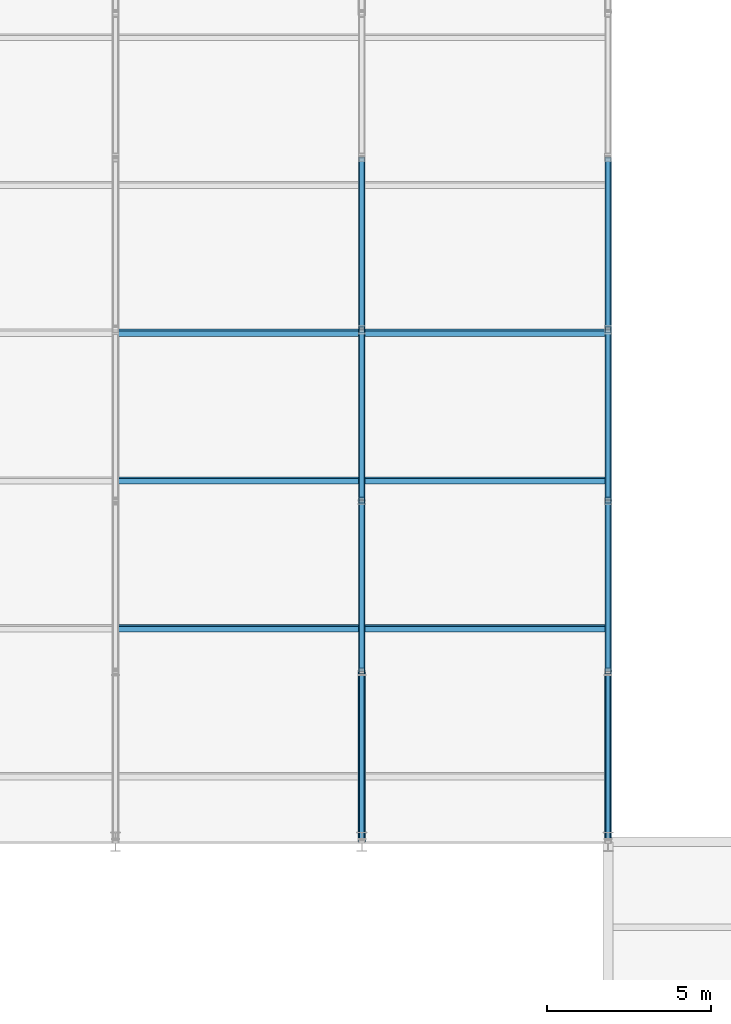
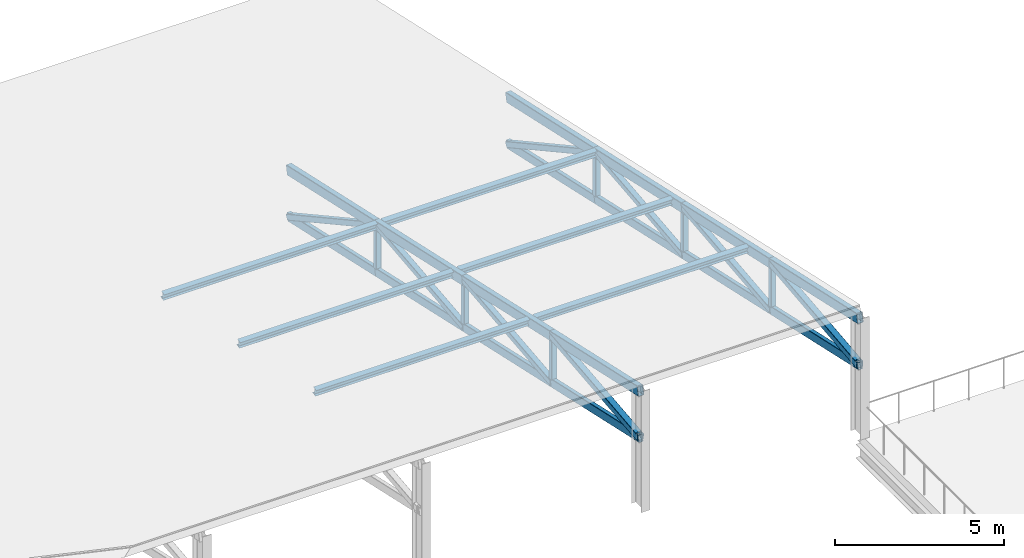
# One storey, part 33 of 77: 36 members.
"""IFC4 building model written with IfcOpenShell, lengths in metres."""

from ifc_helpers import new_model, si_unit, direction, frame, origin, origin_2d, place, context, subcontext, project, spatial, hollow_rectangle, i_section, extrude, material, material_profile, profile_set, type_object, element, save


model = new_model("IFC4")

# Units and contexts
model_context = context("Model", 3, precision=1e-05, world=origin(), true_north=direction((0.0, 1.0)))
body_context = subcontext(model_context, "Body", "Model", "MODEL_VIEW")
ifc_project = project(units=[si_unit("LENGTHUNIT", "METRE"), si_unit("AREAUNIT", "SQUARE_METRE"), si_unit("VOLUMEUNIT", "CUBIC_METRE"), si_unit("PLANEANGLEUNIT", "RADIAN"), si_unit("MASSUNIT", "GRAM", prefix="KILO")], contexts=[model_context])

# Site, building, storey
site_placement = place(None, origin())
site = spatial("IfcSite", under=ifc_project, at=site_placement, CompositionType="ELEMENT")
building_placement = place(site_placement, origin())
building = spatial("IfcBuilding", under=site, at=building_placement, Name="Yukiwa Park Conservatory and Herbarium", CompositionType="ELEMENT")
storey_placement = place(building_placement, frame((0.0, 0.0, 13.199951171875)))
storey = spatial("IfcBuildingStorey", under=building, at=storey_placement, Name="L03", CompositionType="ELEMENT", Elevation=13.199951171875)

# Members
ifc_material_1 = material(Name="Steel Q355D", Category="steel")
ifc_material_profile_1 = material_profile(ifc_material_1, hollow_rectangle(XDim=0.14990234375, YDim=0.300048828125, WallThickness=0.010009765625, InnerFilletRadius=0.010009765625, OuterFilletRadius=0.02001953125, at=origin_2d()), Name="RHS 300x150x10")
ifc_profile_set_1 = profile_set([ifc_material_profile_1], Name="Steel Q355D")
member_type_1 = type_object("IfcMemberType", Name="MB-AU-CHORD300", PredefinedType="CHORD", material=ifc_profile_set_1)
member_1_placement = place(storey_placement, frame((52.5, 78.006103515625, 2.491943359375), z_axis=(0.0, 0.976241016926, -0.216687509727), x_axis=(-1.0, 0.0, 0.0)))
element("IfcMember", 1, at=member_1_placement, inside=storey, type_object=member_type_1, Name="Auditorium roof truss 6 bottom chord 1", PredefinedType="CHORD", context=body_context, shape_type="SweptSolid", body=[
    extrude(hollow_rectangle(XDim=0.14990234375, YDim=0.300048828125, WallThickness=0.010009765625, InnerFilletRadius=0.010009765625, OuterFilletRadius=0.02001953125, at=origin_2d()), origin(), (0.0, 0.0, 1.0), 5.3203125),
])
member_2_placement = place(storey_placement, frame((52.5, 83.199951171875, 1.339111328125), z_axis=(0.0, 0.976294792683, -0.216445091838), x_axis=(-1.0, 0.0, 0.0)))
element("IfcMember", 2, at=member_2_placement, inside=storey, type_object=member_type_1, Name="Auditorium roof truss 6 bottom chord 2", PredefinedType="CHORD", context=body_context, shape_type="SweptSolid", body=[
    extrude(hollow_rectangle(XDim=0.14990234375, YDim=0.300048828125, WallThickness=0.010009765625, InnerFilletRadius=0.010009765625, OuterFilletRadius=0.02001953125, at=origin_2d()), origin(), (0.0, 0.0, 1.0), 5.326171875),
])
member_3_placement = place(storey_placement, frame((52.5, 88.39990234375, 0.186279296875), z_axis=(0.0, 0.97629693996, -0.216435406126), x_axis=(-1.0, 0.0, 0.0)))
element("IfcMember", 3, at=member_3_placement, inside=storey, type_object=member_type_1, Name="Auditorium roof truss 6 bottom chord 3", PredefinedType="CHORD", context=body_context, shape_type="SweptSolid", body=[
    extrude(hollow_rectangle(XDim=0.14990234375, YDim=0.300048828125, WallThickness=0.010009765625, InnerFilletRadius=0.010009765625, OuterFilletRadius=0.02001953125, at=origin_2d()), origin(), (0.0, 0.0, 1.0), 5.326416015625),
])
member_4_placement = place(storey_placement, frame((52.5, 93.60009765625, -0.966552734375), z_axis=(0.0, 0.976294792683, -0.216445091838), x_axis=(-1.0, 0.0, 0.0)))
element("IfcMember", 4, at=member_4_placement, inside=storey, type_object=member_type_1, Name="Auditorium roof truss 6 bottom chord 4", PredefinedType="CHORD", context=body_context, shape_type="SweptSolid", body=[
    extrude(hollow_rectangle(XDim=0.14990234375, YDim=0.300048828125, WallThickness=0.010009765625, InnerFilletRadius=0.010009765625, OuterFilletRadius=0.02001953125, at=origin_2d()), origin(), (0.0, 0.0, 1.0), 5.326171875),
])
ifc_material_2 = material(Name="Steel Q355D", Category="steel")
ifc_material_profile_2 = material_profile(ifc_material_2, hollow_rectangle(XDim=0.14990234375, YDim=0.300048828125, WallThickness=0.010009765625, InnerFilletRadius=0.010009765625, OuterFilletRadius=0.02001953125, at=origin_2d()), Name="RHS 300x150x10")
ifc_profile_set_2 = profile_set([ifc_material_profile_2], Name="Steel Q355D")
member_type_2 = type_object("IfcMemberType", Name="MB-AU-CHORD300-EXT", PredefinedType="CHORD", material=ifc_profile_set_2)
member_5_placement = place(storey_placement, frame((60.0, 78.006103515625, 2.491943359375), z_axis=(0.0, 0.976241016926, -0.216687509727), x_axis=(-1.0, 0.0, 0.0)))
element("IfcMember", 5, at=member_5_placement, inside=storey, type_object=member_type_2, Name="Auditorium roof truss 7 bottom chord 1", PredefinedType="CHORD", context=body_context, shape_type="SweptSolid", body=[
    extrude(hollow_rectangle(XDim=0.14990234375, YDim=0.300048828125, WallThickness=0.010009765625, InnerFilletRadius=0.010009765625, OuterFilletRadius=0.02001953125, at=origin_2d()), origin(), (0.0, 0.0, 1.0), 5.3203125),
])
member_6_placement = place(storey_placement, frame((60.0, 83.199951171875, 1.339111328125), z_axis=(0.0, 0.976294792683, -0.216445091838), x_axis=(-1.0, 0.0, 0.0)))
element("IfcMember", 6, at=member_6_placement, inside=storey, type_object=member_type_2, Name="Auditorium roof truss 7 bottom chord 2", PredefinedType="CHORD", context=body_context, shape_type="SweptSolid", body=[
    extrude(hollow_rectangle(XDim=0.14990234375, YDim=0.300048828125, WallThickness=0.010009765625, InnerFilletRadius=0.010009765625, OuterFilletRadius=0.02001953125, at=origin_2d()), origin(), (0.0, 0.0, 1.0), 5.326171875),
])
member_7_placement = place(storey_placement, frame((60.0, 88.39990234375, 0.186279296875), z_axis=(0.0, 0.97629693996, -0.216435406126), x_axis=(-1.0, 0.0, 0.0)))
element("IfcMember", 7, at=member_7_placement, inside=storey, type_object=member_type_2, Name="Auditorium roof truss 7 bottom chord 3", PredefinedType="CHORD", context=body_context, shape_type="SweptSolid", body=[
    extrude(hollow_rectangle(XDim=0.14990234375, YDim=0.300048828125, WallThickness=0.010009765625, InnerFilletRadius=0.010009765625, OuterFilletRadius=0.02001953125, at=origin_2d()), origin(), (0.0, 0.0, 1.0), 5.326416015625),
])
member_8_placement = place(storey_placement, frame((60.0, 93.60009765625, -0.966552734375), z_axis=(0.0, 0.976294792683, -0.216445091838), x_axis=(-1.0, 0.0, 0.0)))
element("IfcMember", 8, at=member_8_placement, inside=storey, type_object=member_type_2, Name="Auditorium roof truss 7 bottom chord 4", PredefinedType="CHORD", context=body_context, shape_type="SweptSolid", body=[
    extrude(hollow_rectangle(XDim=0.14990234375, YDim=0.300048828125, WallThickness=0.010009765625, InnerFilletRadius=0.010009765625, OuterFilletRadius=0.02001953125, at=origin_2d()), origin(), (0.0, 0.0, 1.0), 5.326171875),
])
ifc_material_3 = material(Name="Steel Q355D", Category="steel")
ifc_material_profile_3 = material_profile(ifc_material_3, hollow_rectangle(XDim=0.199951171875, YDim=0.35009765625, WallThickness=0.011962890625, InnerFilletRadius=0.011962890625, OuterFilletRadius=0.02392578125, at=origin_2d()), Name="RHS 350x200x12")
ifc_profile_set_3 = profile_set([ifc_material_profile_3], Name="Steel Q355D")
member_type_3 = type_object("IfcMemberType", Name="MB-AU-CHORD350", PredefinedType="CHORD", material=ifc_profile_set_3)
member_9_placement = place(storey_placement, frame((52.5, 78.006103515625, 4.19189453125), z_axis=(0.0, 0.976241016926, -0.216687509727), x_axis=(-1.0, 0.0, 0.0)))
element("IfcMember", 9, at=member_9_placement, inside=storey, type_object=member_type_3, Name="Auditorium roof truss 6 top chord 1", PredefinedType="CHORD", context=body_context, shape_type="SweptSolid", body=[
    extrude(hollow_rectangle(XDim=0.199951171875, YDim=0.35009765625, WallThickness=0.011962890625, InnerFilletRadius=0.011962890625, OuterFilletRadius=0.02392578125, at=origin_2d()), origin(), (0.0, 0.0, 1.0), 5.3203125),
])
member_10_placement = place(storey_placement, frame((52.5, 83.199951171875, 3.0390625), z_axis=(0.0, 0.976294792683, -0.216445091838), x_axis=(-1.0, 0.0, 0.0)))
element("IfcMember", 10, at=member_10_placement, inside=storey, type_object=member_type_3, Name="Auditorium roof truss 6 top chord 2", PredefinedType="CHORD", context=body_context, shape_type="SweptSolid", body=[
    extrude(hollow_rectangle(XDim=0.199951171875, YDim=0.35009765625, WallThickness=0.011962890625, InnerFilletRadius=0.011962890625, OuterFilletRadius=0.02392578125, at=origin_2d()), origin(), (0.0, 0.0, 1.0), 5.326171875),
])
member_11_placement = place(storey_placement, frame((52.5, 88.39990234375, 1.88623046875), z_axis=(0.0, 0.97629693996, -0.216435406126), x_axis=(-1.0, 0.0, 0.0)))
element("IfcMember", 11, at=member_11_placement, inside=storey, type_object=member_type_3, Name="Auditorium roof truss 6 top chord 3", PredefinedType="CHORD", context=body_context, shape_type="SweptSolid", body=[
    extrude(hollow_rectangle(XDim=0.199951171875, YDim=0.35009765625, WallThickness=0.011962890625, InnerFilletRadius=0.011962890625, OuterFilletRadius=0.02392578125, at=origin_2d()), origin(), (0.0, 0.0, 1.0), 5.326416015625),
])
member_12_placement = place(storey_placement, frame((52.5, 93.60009765625, 0.7333984375), z_axis=(0.0, 0.976294792683, -0.216445091838), x_axis=(-1.0, 0.0, 0.0)))
element("IfcMember", 12, at=member_12_placement, inside=storey, type_object=member_type_3, Name="Auditorium roof truss 6 top chord 4", PredefinedType="CHORD", context=body_context, shape_type="SweptSolid", body=[
    extrude(hollow_rectangle(XDim=0.199951171875, YDim=0.35009765625, WallThickness=0.011962890625, InnerFilletRadius=0.011962890625, OuterFilletRadius=0.02392578125, at=origin_2d()), origin(), (0.0, 0.0, 1.0), 5.326171875),
])
ifc_material_4 = material(Name="Steel Q355D", Category="steel")
ifc_material_profile_4 = material_profile(ifc_material_4, hollow_rectangle(XDim=0.199951171875, YDim=0.35009765625, WallThickness=0.011962890625, InnerFilletRadius=0.011962890625, OuterFilletRadius=0.02392578125, at=origin_2d()), Name="RHS 350x200x12")
ifc_profile_set_4 = profile_set([ifc_material_profile_4], Name="Steel Q355D")
member_type_4 = type_object("IfcMemberType", Name="MB-AU-CHORD350-EXT", PredefinedType="CHORD", material=ifc_profile_set_4)
member_13_placement = place(storey_placement, frame((60.0, 78.006103515625, 4.19189453125), z_axis=(0.0, 0.976241016926, -0.216687509727), x_axis=(-1.0, 0.0, 0.0)))
element("IfcMember", 13, at=member_13_placement, inside=storey, type_object=member_type_4, Name="Auditorium roof truss 7 top chord 1", PredefinedType="CHORD", context=body_context, shape_type="SweptSolid", body=[
    extrude(hollow_rectangle(XDim=0.199951171875, YDim=0.35009765625, WallThickness=0.011962890625, InnerFilletRadius=0.011962890625, OuterFilletRadius=0.02392578125, at=origin_2d()), origin(), (0.0, 0.0, 1.0), 5.3203125),
])
member_14_placement = place(storey_placement, frame((60.0, 83.199951171875, 3.0390625), z_axis=(0.0, 0.976294792683, -0.216445091838), x_axis=(-1.0, 0.0, 0.0)))
element("IfcMember", 14, at=member_14_placement, inside=storey, type_object=member_type_4, Name="Auditorium roof truss 7 top chord 2", PredefinedType="CHORD", context=body_context, shape_type="SweptSolid", body=[
    extrude(hollow_rectangle(XDim=0.199951171875, YDim=0.35009765625, WallThickness=0.011962890625, InnerFilletRadius=0.011962890625, OuterFilletRadius=0.02392578125, at=origin_2d()), origin(), (0.0, 0.0, 1.0), 5.326171875),
])
member_15_placement = place(storey_placement, frame((60.0, 88.39990234375, 1.88623046875), z_axis=(0.0, 0.97629693996, -0.216435406126), x_axis=(-1.0, 0.0, 0.0)))
element("IfcMember", 15, at=member_15_placement, inside=storey, type_object=member_type_4, Name="Auditorium roof truss 7 top chord 3", PredefinedType="CHORD", context=body_context, shape_type="SweptSolid", body=[
    extrude(hollow_rectangle(XDim=0.199951171875, YDim=0.35009765625, WallThickness=0.011962890625, InnerFilletRadius=0.011962890625, OuterFilletRadius=0.02392578125, at=origin_2d()), origin(), (0.0, 0.0, 1.0), 5.326416015625),
])
member_16_placement = place(storey_placement, frame((60.0, 93.60009765625, 0.7333984375), z_axis=(0.0, 0.976294792683, -0.216445091838), x_axis=(-1.0, 0.0, 0.0)))
element("IfcMember", 16, at=member_16_placement, inside=storey, type_object=member_type_4, Name="Auditorium roof truss 7 top chord 4", PredefinedType="CHORD", context=body_context, shape_type="SweptSolid", body=[
    extrude(hollow_rectangle(XDim=0.199951171875, YDim=0.35009765625, WallThickness=0.011962890625, InnerFilletRadius=0.011962890625, OuterFilletRadius=0.02392578125, at=origin_2d()), origin(), (0.0, 0.0, 1.0), 5.326171875),
])
ifc_material_5 = material(Name="Steel Q355D", Category="steel")
ifc_material_profile_5 = material_profile(ifc_material_5, hollow_rectangle(XDim=0.199951171875, YDim=0.199951171875, WallThickness=0.010009765625, InnerFilletRadius=0.010009765625, OuterFilletRadius=0.02001953125, at=origin_2d()), Name="SHS 200x200x10")
ifc_profile_set_5 = profile_set([ifc_material_profile_5], Name="Steel Q355D")
member_type_5 = type_object("IfcMemberType", Name="MB-AU-DIAG200", PredefinedType="BRACE", material=ifc_profile_set_5)
member_17_placement = place(storey_placement, frame((52.5, 83.199951171875, 1.339111328125), z_axis=(0.0, 0.994510313019, 0.10463860329), x_axis=(-1.0, 0.0, 0.0)))
element("IfcMember", 17, at=member_17_placement, inside=storey, type_object=member_type_5, Name="Auditorium roof truss 6 web diagonal 2", PredefinedType="BRACE", context=body_context, shape_type="SweptSolid", body=[
    extrude(hollow_rectangle(XDim=0.199951171875, YDim=0.199951171875, WallThickness=0.010009765625, InnerFilletRadius=0.010009765625, OuterFilletRadius=0.02001953125, at=origin_2d()), origin(), (0.0, 0.0, 1.0), 5.228759765625),
])
member_18_placement = place(storey_placement, frame((52.5, 88.39990234375, 0.186279296875), z_axis=(0.0, 0.994510824234, 0.104633744465), x_axis=(-1.0, 0.0, 0.0)))
element("IfcMember", 18, at=member_18_placement, inside=storey, type_object=member_type_5, Name="Auditorium roof truss 6 web diagonal 3", PredefinedType="BRACE", context=body_context, shape_type="SweptSolid", body=[
    extrude(hollow_rectangle(XDim=0.199951171875, YDim=0.199951171875, WallThickness=0.010009765625, InnerFilletRadius=0.010009765625, OuterFilletRadius=0.02001953125, at=origin_2d()), origin(), (0.0, 0.0, 1.0), 5.22900390625),
])
member_19_placement = place(storey_placement, frame((52.5, 93.60009765625, 0.7333984375), z_axis=(0.0, 0.876727303121, -0.480987771115), x_axis=(-1.0, 0.0, 0.0)))
element("IfcMember", 19, at=member_19_placement, inside=storey, type_object=member_type_5, Name="Auditorium roof truss 6 web diagonal 4", PredefinedType="BRACE", context=body_context, shape_type="SweptSolid", body=[
    extrude(hollow_rectangle(XDim=0.199951171875, YDim=0.199951171875, WallThickness=0.010009765625, InnerFilletRadius=0.010009765625, OuterFilletRadius=0.02001953125, at=origin_2d()), origin(), (0.0, 0.0, 1.0), 5.93115234375),
])
ifc_material_6 = material(Name="Steel Q355D", Category="steel")
ifc_material_profile_6 = material_profile(ifc_material_6, hollow_rectangle(XDim=0.199951171875, YDim=0.199951171875, WallThickness=0.010009765625, InnerFilletRadius=0.010009765625, OuterFilletRadius=0.02001953125, at=origin_2d()), Name="SHS 200x200x10")
ifc_profile_set_6 = profile_set([ifc_material_profile_6], Name="Steel Q355D")
member_type_6 = type_object("IfcMemberType", Name="MB-AU-DIAG200-EXT", PredefinedType="BRACE", material=ifc_profile_set_6)
member_20_placement = place(storey_placement, frame((60.0, 83.199951171875, 1.339111328125), z_axis=(0.0, 0.994510313019, 0.10463860329), x_axis=(-1.0, 0.0, 0.0)))
element("IfcMember", 20, at=member_20_placement, inside=storey, type_object=member_type_6, Name="Auditorium roof truss 7 web diagonal 2", PredefinedType="BRACE", context=body_context, shape_type="SweptSolid", body=[
    extrude(hollow_rectangle(XDim=0.199951171875, YDim=0.199951171875, WallThickness=0.010009765625, InnerFilletRadius=0.010009765625, OuterFilletRadius=0.02001953125, at=origin_2d()), origin(), (0.0, 0.0, 1.0), 5.228759765625),
])
member_21_placement = place(storey_placement, frame((60.0, 88.39990234375, 0.186279296875), z_axis=(0.0, 0.994510824234, 0.104633744465), x_axis=(-1.0, 0.0, 0.0)))
element("IfcMember", 21, at=member_21_placement, inside=storey, type_object=member_type_6, Name="Auditorium roof truss 7 web diagonal 3", PredefinedType="BRACE", context=body_context, shape_type="SweptSolid", body=[
    extrude(hollow_rectangle(XDim=0.199951171875, YDim=0.199951171875, WallThickness=0.010009765625, InnerFilletRadius=0.010009765625, OuterFilletRadius=0.02001953125, at=origin_2d()), origin(), (0.0, 0.0, 1.0), 5.22900390625),
])
member_22_placement = place(storey_placement, frame((60.0, 93.60009765625, 0.7333984375), z_axis=(0.0, 0.876727303121, -0.480987771115), x_axis=(-1.0, 0.0, 0.0)))
element("IfcMember", 22, at=member_22_placement, inside=storey, type_object=member_type_6, Name="Auditorium roof truss 7 web diagonal 4", PredefinedType="BRACE", context=body_context, shape_type="SweptSolid", body=[
    extrude(hollow_rectangle(XDim=0.199951171875, YDim=0.199951171875, WallThickness=0.010009765625, InnerFilletRadius=0.010009765625, OuterFilletRadius=0.02001953125, at=origin_2d()), origin(), (0.0, 0.0, 1.0), 5.93115234375),
])
ifc_material_7 = material(Name="Steel Q355D", Category="steel")
ifc_material_profile_7 = material_profile(ifc_material_7, hollow_rectangle(XDim=0.219970703125, YDim=0.219970703125, WallThickness=0.010009765625, InnerFilletRadius=0.010009765625, OuterFilletRadius=0.02001953125, at=origin_2d()), Name="SHS 220x220x10")
ifc_profile_set_7 = profile_set([ifc_material_profile_7], Name="Steel Q355D")
member_type_7 = type_object("IfcMemberType", Name="MB-AU-DIAG220", PredefinedType="BRACE", material=ifc_profile_set_7)
member_23_placement = place(storey_placement, frame((52.5, 78.011962890625, 2.491943359375), z_axis=(0.0, 0.994485175972, 0.104877236675), x_axis=(-1.0, 0.0, 0.0)))
element("IfcMember", 23, at=member_23_placement, inside=storey, type_object=member_type_7, Name="Auditorium roof truss 6 web diagonal 1", PredefinedType="BRACE", context=body_context, shape_type="SweptSolid", body=[
    extrude(hollow_rectangle(XDim=0.219970703125, YDim=0.219970703125, WallThickness=0.010009765625, InnerFilletRadius=0.010009765625, OuterFilletRadius=0.02001953125, at=origin_2d()), origin(), (0.0, 0.0, 1.0), 5.216796875),
])
ifc_material_8 = material(Name="Steel Q355D", Category="steel")
ifc_material_profile_8 = material_profile(ifc_material_8, hollow_rectangle(XDim=0.219970703125, YDim=0.219970703125, WallThickness=0.010009765625, InnerFilletRadius=0.010009765625, OuterFilletRadius=0.02001953125, at=origin_2d()), Name="SHS 220x220x10")
ifc_profile_set_8 = profile_set([ifc_material_profile_8], Name="Steel Q355D")
member_type_8 = type_object("IfcMemberType", Name="MB-AU-DIAG220-EXT", PredefinedType="BRACE", material=ifc_profile_set_8)
member_24_placement = place(storey_placement, frame((60.0, 78.011962890625, 2.491943359375), z_axis=(0.0, 0.994485175972, 0.104877236675), x_axis=(-1.0, 0.0, 0.0)))
element("IfcMember", 24, at=member_24_placement, inside=storey, type_object=member_type_8, Name="Auditorium roof truss 7 web diagonal 1", PredefinedType="BRACE", context=body_context, shape_type="SweptSolid", body=[
    extrude(hollow_rectangle(XDim=0.219970703125, YDim=0.219970703125, WallThickness=0.010009765625, InnerFilletRadius=0.010009765625, OuterFilletRadius=0.02001953125, at=origin_2d()), origin(), (0.0, 0.0, 1.0), 5.216796875),
])
ifc_material_9 = material(Name="Steel Q355D", Category="steel")
ifc_material_profile_9 = material_profile(ifc_material_9, hollow_rectangle(XDim=0.179931640625, YDim=0.179931640625, WallThickness=0.008056640625, InnerFilletRadius=0.008056640625, OuterFilletRadius=0.01611328125, at=origin_2d()), Name="SHS 180x180x8")
ifc_profile_set_9 = profile_set([ifc_material_profile_9], Name="Steel Q355D")
member_type_9 = type_object("IfcMemberType", Name="MB-AU-WEB180", PredefinedType="MEMBER", material=ifc_profile_set_9)
for number, where, z_axis, x_axis, name in (
    (25, (52.5, 83.199951171875, 1.484130859375), (0.0, 0.0, 1.0), (1.0, 0.0, 0.0), "Auditorium roof truss 6 vertical web 1"),
    (26, (52.5, 88.39990234375, 0.331298828125), (0.0, 0.0, 1.0), (1.0, 0.0, 0.0), "Auditorium roof truss 6 vertical web 2"),
    (27, (52.5, 93.60009765625, -0.821533203125), (0.0, 0.0, 1.0), (1.0, 0.0, 0.0), "Auditorium roof truss 6 vertical web 3"),
    (28, (60.0, 83.199951171875, 1.484130859375), (0.0, 0.0, 1.0), (1.0, 0.0, 0.0), "Auditorium roof truss 7 vertical web 1"),
    (29, (60.0, 88.39990234375, 0.331298828125), (0.0, 0.0, 1.0), (1.0, 0.0, 0.0), "Auditorium roof truss 7 vertical web 2"),
    (30, (60.0, 93.60009765625, -0.821533203125), (0.0, 0.0, 1.0), (1.0, 0.0, 0.0), "Auditorium roof truss 7 vertical web 3"),
):
    element("IfcMember", number, at=place(storey_placement, frame(where, z_axis=z_axis, x_axis=x_axis)), inside=storey, type_object=member_type_9, Name=name, PredefinedType="MEMBER", context=body_context, shape_type="SweptSolid", body=[
        extrude(hollow_rectangle(XDim=0.179931640625, YDim=0.179931640625, WallThickness=0.008056640625, InnerFilletRadius=0.008056640625, OuterFilletRadius=0.01611328125, at=origin_2d()), origin(), (0.0, 0.0, 1.0), 1.385009765625),
    ])
ifc_material_10 = material(Name="Steel Q355D", Category="steel")
ifc_material_profile_10 = material_profile(ifc_material_10, i_section(OverallWidth=0.175048828125, OverallDepth=0.243896484375, WebThickness=0.007080078125, FlangeThickness=0.010986328125, FilletRadius=0.01611328125, at=origin_2d()), Name="HM 244x175x7x11")
ifc_profile_set_10 = profile_set([ifc_material_profile_10], Name="Steel Q355D")
member_type_10 = type_object("IfcMemberType", Name="MB-RF-PURL244", PredefinedType="PURLIN", material=ifc_profile_set_10)
for number, where, z_axis, x_axis, name in (
    (31, (45.094970703125, 84.5, 2.805908203125), (1.0, 0.0, 0.0), (0.0, 0.97629600712, 0.216439613938), "Auditorium roof purlin 5.84"),
    (32, (45.094970703125, 89.0, 1.808349609375), (1.0, 0.0, 0.0), (0.0, 0.97629600712, 0.216439613938), "Auditorium roof purlin 5.89"),
    (33, (45.094970703125, 93.5, 0.810546875), (1.0, 0.0, 0.0), (0.0, 0.97629600712, 0.216439613938), "Auditorium roof purlin 5.93"),
    (34, (52.594970703125, 84.5, 2.805908203125), (1.0, 0.0, 0.0), (0.0, 0.97629600712, 0.216439613938), "Auditorium roof purlin 6.84"),
    (35, (52.594970703125, 89.0, 1.808349609375), (1.0, 0.0, 0.0), (0.0, 0.97629600712, 0.216439613938), "Auditorium roof purlin 6.89"),
    (36, (52.594970703125, 93.5, 0.810546875), (1.0, 0.0, 0.0), (0.0, 0.97629600712, 0.216439613938), "Auditorium roof purlin 6.93"),
):
    element("IfcMember", number, at=place(storey_placement, frame(where, z_axis=z_axis, x_axis=x_axis)), inside=storey, type_object=member_type_10, Name=name, PredefinedType="PURLIN", context=body_context, shape_type="SweptSolid", body=[
        extrude(i_section(OverallWidth=0.175048828125, OverallDepth=0.243896484375, WebThickness=0.007080078125, FlangeThickness=0.010986328125, FilletRadius=0.01611328125, at=origin_2d()), origin(), (0.0, 0.0, 1.0), 7.31005859375),
    ])

save(model, "model.ifc")
